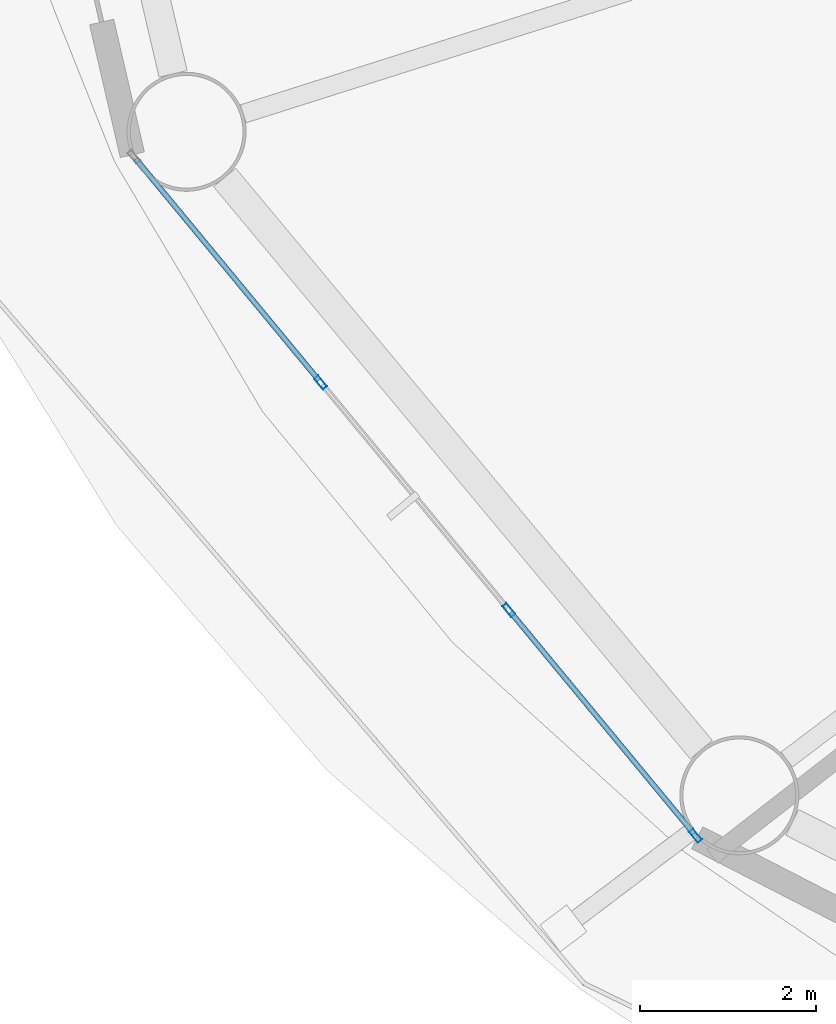
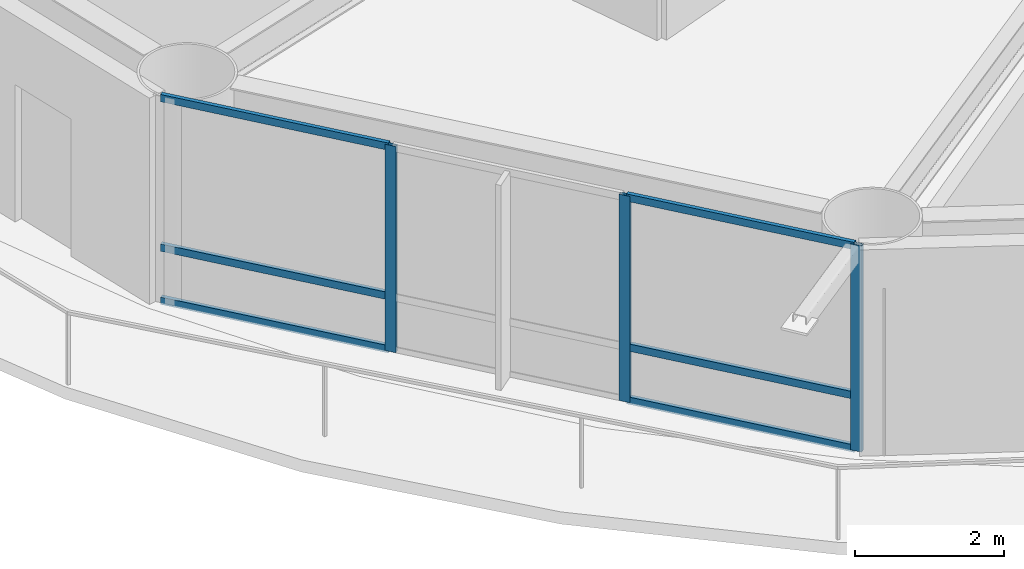
# One storey, part 2 of 26: 9 members, 1 element without a shape of its own.
"""IFC4 building model written with IfcOpenShell, lengths in metres."""

from ifc_helpers import new_model, si_unit, direction, frame, origin, origin_2d, place, context, subcontext, project, spatial, hollow_rectangle, extrude, material, layer, layer_set, material_profile, profile_set, type_object, element, aggregate, save


model = new_model("IFC4")

# Units and contexts
model_context = context("Model", 3, precision=1e-05, world=origin(), true_north=direction((0.0, 1.0)))
body_context = subcontext(model_context, "Body", "Model", "MODEL_VIEW")
ifc_project = project(units=[si_unit("LENGTHUNIT", "METRE"), si_unit("AREAUNIT", "SQUARE_METRE"), si_unit("VOLUMEUNIT", "CUBIC_METRE"), si_unit("PLANEANGLEUNIT", "RADIAN"), si_unit("MASSUNIT", "GRAM", prefix="KILO")], contexts=[model_context])

# Site, building, storey
site_placement = place(None, origin())
site = spatial("IfcSite", under=ifc_project, at=site_placement, CompositionType="ELEMENT")
building_placement = place(site_placement, origin())
building = spatial("IfcBuilding", under=site, at=building_placement, Name="Sarneth Arch Tower", CompositionType="ELEMENT")
storey_placement = place(building_placement, frame((0.0, 0.0, 53.39990234375)))
storey = spatial("IfcBuildingStorey", under=building, at=storey_placement, Name="L12", CompositionType="ELEMENT", Elevation=53.39990234375)

# Curtain wall, members
ifc_material_1 = material(Name="Anodised aluminium Type AA25 and solar-control low-e laminated IGU", Category="aluminium")
ifc_layer = layer(ifc_material_1, 0.159912109375)
ifc_layer_set = layer_set([ifc_layer], Name="Anodised aluminium Type AA25 and solar-control low-e laminated IGU")
curtain_wall_type = type_object("IfcCurtainWallType", Name="CW-HOTEL-LOW", PredefinedType="NOTDEFINED", material=ifc_layer_set)
curtain_wall_placement = place(storey_placement, origin())
curtain_wall = element("IfcCurtainWall", 1, at=curtain_wall_placement, inside=storey, type_object=curtain_wall_type, Name="L12 Unitised curtain wall facet 10", PredefinedType="NOTDEFINED")
ifc_material_2 = material(Name="Anodised Aluminium 6063-T6", Category="aluminium")
ifc_material_profile_1 = material_profile(ifc_material_2, hollow_rectangle(XDim=0.06005859375, YDim=0.159912109375, WallThickness=0.00390625, at=origin_2d()), Name="AL-MULL-160x60x4")
ifc_profile_set_1 = profile_set([ifc_material_profile_1], Name="Anodised Aluminium 6063-T6")
member_type_1 = type_object("IfcMemberType", Name="CW-MULLION", PredefinedType="MULLION", material=ifc_profile_set_1)
member_1_placement = place(storey_placement, frame((21.5546875, 30.279052734375, 0.0), z_axis=(0.0, 0.0, 1.0), x_axis=(0.770622960278, 0.637291340827, 0.0)))
member_1 = element("IfcMember", 2, at=member_1_placement, type_object=member_type_1, Name="CW-SYS-3 mullion 2", PredefinedType="MULLION", context=body_context, shape_type="SweptSolid", body=[
    extrude(hollow_rectangle(XDim=0.06005859375, YDim=0.159912109375, WallThickness=0.00390625, at=origin_2d()), origin(), (0.0, 0.0, 1.0), 3.380126953125),
])
member_2_placement = place(storey_placement, frame((23.690185546875, 27.69677734375, 0.0), z_axis=(0.0, 0.0, 1.0), x_axis=(0.770622960278, 0.637291340827, 0.0)))
member_2 = element("IfcMember", 3, at=member_2_placement, type_object=member_type_1, Name="CW-SYS-3 mullion 3", PredefinedType="MULLION", context=body_context, shape_type="SweptSolid", body=[
    extrude(hollow_rectangle(XDim=0.06005859375, YDim=0.159912109375, WallThickness=0.00390625, at=origin_2d()), origin(), (0.0, 0.0, 1.0), 3.380126953125),
])
member_3_placement = place(storey_placement, frame((25.806640625, 25.137451171875, 0.0), z_axis=(0.0, 0.0, 1.0), x_axis=(0.770622960278, 0.637291340827, 0.0)))
member_3 = element("IfcMember", 4, at=member_3_placement, type_object=member_type_1, Name="CW-SYS-3 mullion 4", PredefinedType="MULLION", context=body_context, shape_type="SweptSolid", body=[
    extrude(hollow_rectangle(XDim=0.06005859375, YDim=0.159912109375, WallThickness=0.00390625, at=origin_2d()), origin(), (0.0, 0.0, 1.0), 3.380126953125),
])
ifc_material_3 = material(Name="Anodised Aluminium 6063-T6", Category="aluminium")
ifc_material_profile_2 = material_profile(ifc_material_3, hollow_rectangle(XDim=0.06005859375, YDim=0.1201171875, WallThickness=0.00390625, at=origin_2d()), Name="AL-TRAN-120x60x4")
ifc_profile_set_2 = profile_set([ifc_material_profile_2], Name="Anodised Aluminium 6063-T6")
member_type_2 = type_object("IfcMemberType", Name="CW-TRANSOM", PredefinedType="USERDEFINED", material=ifc_profile_set_2)
member_4_placement = place(storey_placement, frame((19.457275390625, 32.815185546875, 0.030029296875), z_axis=(0.63733019572, -0.77059082633, 0.0), x_axis=(0.77059082633, 0.63733019572, 0.0)))
member_4 = element("IfcMember", 5, at=member_4_placement, type_object=member_type_2, Name="CW-SYS-3 transom 1.1", ObjectType="TRANSOM", PredefinedType="USERDEFINED", context=body_context, shape_type="SweptSolid", body=[
    extrude(hollow_rectangle(XDim=0.06005859375, YDim=0.1201171875, WallThickness=0.00390625, at=origin_2d()), origin(), (0.0, 0.0, 1.0), 3.260986328125),
])
member_5_placement = place(storey_placement, frame((19.457275390625, 32.815185546875, 0.900146484375), z_axis=(0.63733019572, -0.77059082633, 0.0), x_axis=(0.77059082633, 0.63733019572, 0.0)))
member_5 = element("IfcMember", 6, at=member_5_placement, type_object=member_type_2, Name="CW-SYS-3 transom 1.2", ObjectType="TRANSOM", PredefinedType="USERDEFINED", context=body_context, shape_type="SweptSolid", body=[
    extrude(hollow_rectangle(XDim=0.06005859375, YDim=0.1201171875, WallThickness=0.00390625, at=origin_2d()), origin(), (0.0, 0.0, 1.0), 3.260986328125),
])
member_6_placement = place(storey_placement, frame((19.457275390625, 32.815185546875, 3.35009765625), z_axis=(0.63733019572, -0.77059082633, 0.0), x_axis=(0.77059082633, 0.63733019572, 0.0)))
member_6 = element("IfcMember", 7, at=member_6_placement, type_object=member_type_2, Name="CW-SYS-3 transom 1.3", ObjectType="TRANSOM", PredefinedType="USERDEFINED", context=body_context, shape_type="SweptSolid", body=[
    extrude(hollow_rectangle(XDim=0.06005859375, YDim=0.1201171875, WallThickness=0.00390625, at=origin_2d()), origin(), (0.0, 0.0, 1.0), 3.260986328125),
])
member_7_placement = place(storey_placement, frame((23.70947265625, 27.673583984375, 0.030029296875), z_axis=(0.637285736625, -0.770627594817, 0.0), x_axis=(0.770627594817, 0.637285736625, 0.0)))
member_7 = element("IfcMember", 8, at=member_7_placement, type_object=member_type_2, Name="CW-SYS-3 transom 3.1", ObjectType="TRANSOM", PredefinedType="USERDEFINED", context=body_context, shape_type="SweptSolid", body=[
    extrude(hollow_rectangle(XDim=0.06005859375, YDim=0.1201171875, WallThickness=0.00390625, at=origin_2d()), origin(), (0.0, 0.0, 1.0), 3.260986328125),
])
member_8_placement = place(storey_placement, frame((23.70947265625, 27.673583984375, 0.900146484375), z_axis=(0.637285736625, -0.770627594817, 0.0), x_axis=(0.770627594817, 0.637285736625, 0.0)))
member_8 = element("IfcMember", 9, at=member_8_placement, type_object=member_type_2, Name="CW-SYS-3 transom 3.2", ObjectType="TRANSOM", PredefinedType="USERDEFINED", context=body_context, shape_type="SweptSolid", body=[
    extrude(hollow_rectangle(XDim=0.06005859375, YDim=0.1201171875, WallThickness=0.00390625, at=origin_2d()), origin(), (0.0, 0.0, 1.0), 3.260986328125),
])
member_9_placement = place(storey_placement, frame((23.70947265625, 27.673583984375, 3.35009765625), z_axis=(0.637285736625, -0.770627594817, 0.0), x_axis=(0.770627594817, 0.637285736625, 0.0)))
member_9 = element("IfcMember", 10, at=member_9_placement, type_object=member_type_2, Name="CW-SYS-3 transom 3.3", ObjectType="TRANSOM", PredefinedType="USERDEFINED", context=body_context, shape_type="SweptSolid", body=[
    extrude(hollow_rectangle(XDim=0.06005859375, YDim=0.1201171875, WallThickness=0.00390625, at=origin_2d()), origin(), (0.0, 0.0, 1.0), 3.260986328125),
])
aggregate(curtain_wall, [member_1, member_2, member_3, member_4, member_5, member_6, member_7, member_8, member_9])

save(model, "model.ifc")
